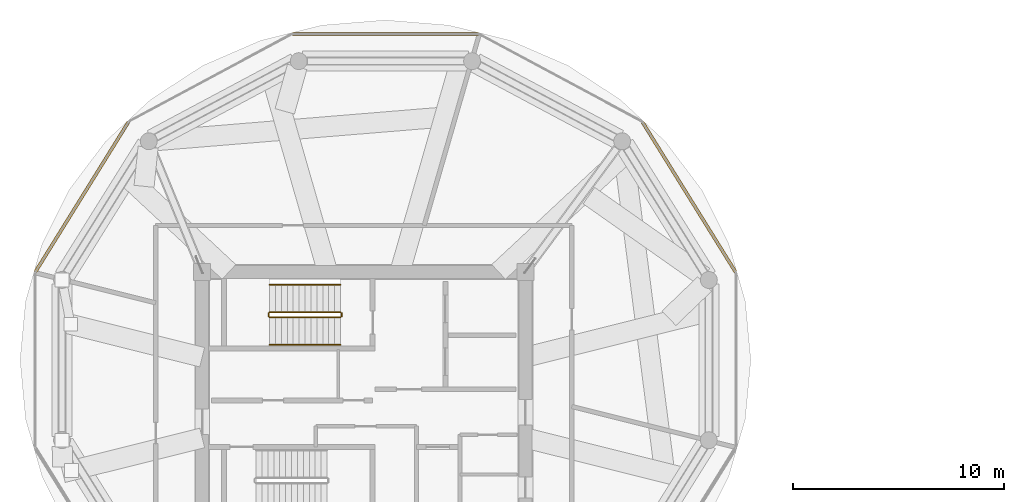
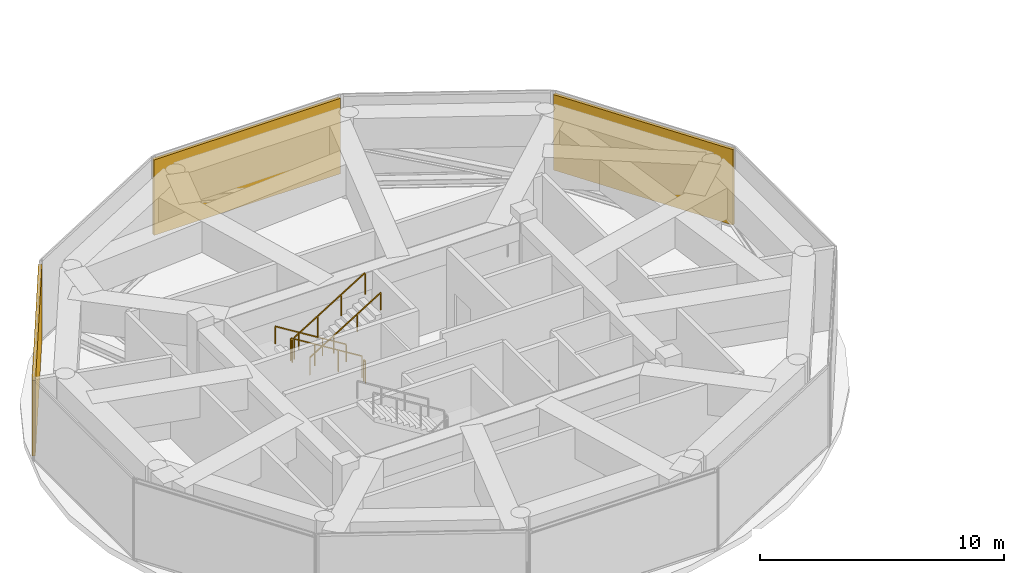
# One storey, part 18 of 20: 6 railings, 3 shading devices.
"""IFC4 building model written with IfcOpenShell, lengths in metres."""

from ifc_helpers import new_model, si_unit, direction, frame, origin, origin_2d, place, context, subcontext, project, spatial, rectangle, extrude, source, transform, mapped, material, type_object, type_shapes, element, save


model = new_model("IFC4")

# Units and contexts
model_context = context("Model", 3, precision=1e-05, world=origin(), true_north=direction((0.0, 1.0)))
body_context = subcontext(model_context, "Body", "Model", "MODEL_VIEW")
ifc_project = project(units=[si_unit("LENGTHUNIT", "METRE"), si_unit("AREAUNIT", "SQUARE_METRE"), si_unit("VOLUMEUNIT", "CUBIC_METRE"), si_unit("PLANEANGLEUNIT", "RADIAN"), si_unit("MASSUNIT", "GRAM", prefix="KILO")], contexts=[model_context])

# Site, building, storey
site_placement = place(None, origin())
site = spatial("IfcSite", under=ifc_project, at=site_placement, CompositionType="ELEMENT")
building_placement = place(site_placement, origin())
building = spatial("IfcBuilding", under=site, at=building_placement, Name="Norrkilde Senior Care Towers", CompositionType="ELEMENT")
storey_placement = place(building_placement, frame((0.0, 0.0, 186.14990234375)))
storey = spatial("IfcBuildingStorey", under=building, at=storey_placement, Name="L58", CompositionType="ELEMENT", Elevation=186.14990234375)

# Railings
ifc_material_1 = material(Name="Stainless Steel", Category="steel")
railing_type_1 = type_object("IfcRailingType", Name="Stair and Terrace Guardrail 1100", PredefinedType="GUARDRAIL", material=ifc_material_1)
railing_1_placement = place(storey_placement, frame((-29.10009765625, 4.050048828125, 0.173095703125)))
element("IfcRailing", 1, at=railing_1_placement, inside=storey, type_object=railing_type_1, Name="L58 ST-W1 stair guard 1", PredefinedType="GUARDRAIL", context=body_context, shape_type="SweptSolid", body=[
    extrude(rectangle(XDim=0.048095703125, YDim=0.048095703125, at=origin_2d()), frame((0.0, 0.0, 1.076171875), z_axis=(-0.850606129759, 0.0, 0.525803396734), x_axis=(0.0, -1.0, 0.0)), (0.0, 0.0, 1.0), 3.949951171875),
    extrude(rectangle(XDim=0.0419921875, YDim=0.0419921875, at=origin_2d()), origin(), (0.0, 0.0, 1.0), 1.050048828125),
    extrude(rectangle(XDim=0.0419921875, YDim=0.0419921875, at=origin_2d()), frame((-1.119873046875, 0.0, 0.6923828125)), (0.0, 0.0, 1.0), 1.050048828125),
    extrude(rectangle(XDim=0.0419921875, YDim=0.0419921875, at=origin_2d()), frame((-2.239990234375, 0.0, 1.384521484375)), (0.0, 0.0, 1.0), 1.050048828125),
    extrude(rectangle(XDim=0.0419921875, YDim=0.0419921875, at=origin_2d()), frame((-3.35986328125, 0.0, 2.076904296875)), (0.0, 0.0, 1.0), 1.050048828125),
])
railing_2_placement = place(storey_placement, frame((-32.510009765625, 4.0, 2.25)))
element("IfcRailing", 2, at=railing_2_placement, inside=storey, type_object=railing_type_1, Name="L58 ST-W1 stair guard 2", PredefinedType="GUARDRAIL", context=body_context, shape_type="SweptSolid", body=[
    extrude(rectangle(XDim=0.048095703125, YDim=0.048095703125, at=origin_2d()), frame((0.0, 0.0, 1.076171875), z_axis=(0.0, -1.0, 0.0), x_axis=(1.0, 0.0, 0.0)), (0.0, 0.0, 1.0), 0.14990234375),
    extrude(rectangle(XDim=0.0419921875, YDim=0.0419921875, at=origin_2d()), origin(), (0.0, 0.0, 1.0), 1.050048828125),
    extrude(rectangle(XDim=0.0419921875, YDim=0.0419921875, at=origin_2d()), frame((0.0, -0.14990234375, 0.0)), (0.0, 0.0, 1.0), 1.050048828125),
])
railing_3_placement = place(storey_placement, frame((-32.4599609375, 3.800048828125, 2.423095703125)))
element("IfcRailing", 3, at=railing_3_placement, inside=storey, type_object=railing_type_1, Name="L58 ST-W1 stair guard 3", PredefinedType="GUARDRAIL", context=body_context, shape_type="SweptSolid", body=[
    extrude(rectangle(XDim=0.048095703125, YDim=0.048095703125, at=origin_2d()), frame((0.0, 0.0, 1.076171875), z_axis=(0.850606129759, 0.0, 0.525803396734), x_axis=(0.0, 1.0, 0.0)), (0.0, 0.0, 1.0), 3.949951171875),
    extrude(rectangle(XDim=0.0419921875, YDim=0.0419921875, at=origin_2d()), origin(), (0.0, 0.0, 1.0), 1.050048828125),
    extrude(rectangle(XDim=0.0419921875, YDim=0.0419921875, at=origin_2d()), frame((1.119873046875, 0.0, 0.6923828125)), (0.0, 0.0, 1.0), 1.050048828125),
    extrude(rectangle(XDim=0.0419921875, YDim=0.0419921875, at=origin_2d()), frame((2.239990234375, 0.0, 1.384521484375)), (0.0, 0.0, 1.0), 1.050048828125),
    extrude(rectangle(XDim=0.0419921875, YDim=0.0419921875, at=origin_2d()), frame((3.35986328125, 0.0, 2.076904296875)), (0.0, 0.0, 1.0), 1.050048828125),
])
railing_4_placement = place(storey_placement, frame((-29.050048828125, 4.0, 0.0)))
element("IfcRailing", 4, at=railing_4_placement, inside=storey, type_object=railing_type_1, Name="L58 ST-W1 stair guard 4", PredefinedType="GUARDRAIL", context=body_context, shape_type="SweptSolid", body=[
    extrude(rectangle(XDim=0.048095703125, YDim=0.048095703125, at=origin_2d()), frame((0.0, 0.0, 1.076171875), z_axis=(0.0, -1.0, 0.0), x_axis=(1.0, 0.0, 0.0)), (0.0, 0.0, 1.0), 0.14990234375),
    extrude(rectangle(XDim=0.0419921875, YDim=0.0419921875, at=origin_2d()), origin(), (0.0, 0.0, 1.0), 1.050048828125),
    extrude(rectangle(XDim=0.0419921875, YDim=0.0419921875, at=origin_2d()), frame((0.0, -0.14990234375, 0.0)), (0.0, 0.0, 1.0), 1.050048828125),
])
ifc_material_2 = material(Name="Nordic Ash Timber", Category="wood")
railing_type_2 = type_object("IfcRailingType", Name="Wall and Stair Handrail 900", PredefinedType="HANDRAIL", material=ifc_material_2)
railing_5_placement = place(storey_placement, frame((-29.10009765625, 5.35009765625, 0.173095703125)))
element("IfcRailing", 5, at=railing_5_placement, inside=storey, type_object=railing_type_2, Name="L58 ST-W1 stair handrail 1", PredefinedType="HANDRAIL", context=body_context, shape_type="SweptSolid", body=[
    extrude(rectangle(XDim=0.048095703125, YDim=0.048095703125, at=origin_2d()), frame((0.0, 0.0, 0.8759765625), z_axis=(-0.850606129759, 0.0, 0.525803396734), x_axis=(0.0, -1.0, 0.0)), (0.0, 0.0, 1.0), 3.949951171875),
    extrude(rectangle(XDim=0.0419921875, YDim=0.0419921875, at=origin_2d()), origin(), (0.0, 0.0, 1.0), 0.849853515625),
    extrude(rectangle(XDim=0.0419921875, YDim=0.0419921875, at=origin_2d()), frame((-1.119873046875, 0.0, 0.6923828125)), (0.0, 0.0, 1.0), 0.849853515625),
    extrude(rectangle(XDim=0.0419921875, YDim=0.0419921875, at=origin_2d()), frame((-2.239990234375, 0.0, 1.384521484375)), (0.0, 0.0, 1.0), 0.849853515625),
    extrude(rectangle(XDim=0.0419921875, YDim=0.0419921875, at=origin_2d()), frame((-3.35986328125, 0.0, 2.076904296875)), (0.0, 0.0, 1.0), 0.849853515625),
])
railing_6_placement = place(storey_placement, frame((-32.4599609375, 2.5, 2.423095703125)))
element("IfcRailing", 6, at=railing_6_placement, inside=storey, type_object=railing_type_2, Name="L58 ST-W1 stair handrail 2", PredefinedType="HANDRAIL", context=body_context, shape_type="SweptSolid", body=[
    extrude(rectangle(XDim=0.048095703125, YDim=0.048095703125, at=origin_2d()), frame((0.0, 0.0, 0.8759765625), z_axis=(0.850606129759, 0.0, 0.525803396734), x_axis=(0.0, 1.0, 0.0)), (0.0, 0.0, 1.0), 3.949951171875),
    extrude(rectangle(XDim=0.0419921875, YDim=0.0419921875, at=origin_2d()), origin(), (0.0, 0.0, 1.0), 0.849853515625),
    extrude(rectangle(XDim=0.0419921875, YDim=0.0419921875, at=origin_2d()), frame((1.119873046875, 0.0, 0.6923828125)), (0.0, 0.0, 1.0), 0.849853515625),
    extrude(rectangle(XDim=0.0419921875, YDim=0.0419921875, at=origin_2d()), frame((2.239990234375, 0.0, 1.384521484375)), (0.0, 0.0, 1.0), 0.849853515625),
    extrude(rectangle(XDim=0.0419921875, YDim=0.0419921875, at=origin_2d()), frame((3.35986328125, 0.0, 2.076904296875)), (0.0, 0.0, 1.0), 0.849853515625),
])

# Shading devices
ifc_material_3 = material(Name="Anodised Aluminium", Category="aluminium")
shading_device_type = type_object("IfcShadingDeviceType", Name="Plant and Crown Acoustic Louvre Screen", PredefinedType="JALOUSIE", material=ifc_material_3)
shared_shape_1 = source(origin(), body_context, "Body", "SweptSolid", [
    extrude(rectangle(XDim=8.351318359375, YDim=0.14990234375, at=origin_2d()), origin(), (0.0, 0.0, 1.0), 3.780029296875),
])
for number, where, z_axis, x_axis, name in (
    (7, (-12.603759765625, 9.4931640625, 0.14990234375), (0.0, 0.0, 1.0), (0.52737270789, -0.84963405474, 0.0), "L58 Plant Acoustic Louvre Screen W-00"),
    (8, (-41.346435546875, 9.4931640625, 0.14990234375), (0.0, 0.0, 1.0), (0.52737270789, 0.84963405474, 0.0), "L58 Plant Acoustic Louvre Screen W-04"),
):
    element("IfcShadingDevice", number, at=place(storey_placement, frame(where, z_axis=z_axis, x_axis=x_axis)), inside=storey, type_object=shading_device_type, Name=name, PredefinedType="JALOUSIE", context=body_context, shape_type="MappedRepresentation", body=[
        mapped(shared_shape_1, transform((0.0, 0.0, 0.0), x_axis=(1.0, 0.0, 0.0), y_axis=(0.0, 1.0, 0.0), z_axis=(0.0, 0.0, 1.0), scale=1.0)),
    ])
shared_shape_2 = source(origin(), body_context, "Body", "SweptSolid", [
    extrude(rectangle(XDim=8.81298828125, YDim=0.14990234375, at=origin_2d()), origin(), (0.0, 0.0, 1.0), 3.780029296875),
])
type_shapes(shading_device_type, [shared_shape_1, shared_shape_2])
shading_device_placement = place(storey_placement, frame((-26.97509765625, 17.2109375, 0.14990234375), z_axis=(0.0, 0.0, 1.0), x_axis=(1.0, 0.0, 0.0)))
element("IfcShadingDevice", 9, at=shading_device_placement, inside=storey, type_object=shading_device_type, Name="L58 Plant Acoustic Louvre Screen W-02", PredefinedType="JALOUSIE", context=body_context, shape_type="MappedRepresentation", body=[
    mapped(shared_shape_2, transform((0.0, 0.0, 0.0), x_axis=(1.0, 0.0, 0.0), y_axis=(0.0, 1.0, 0.0), z_axis=(0.0, 0.0, 1.0), scale=1.0)),
])

save(model, "model.ifc")
